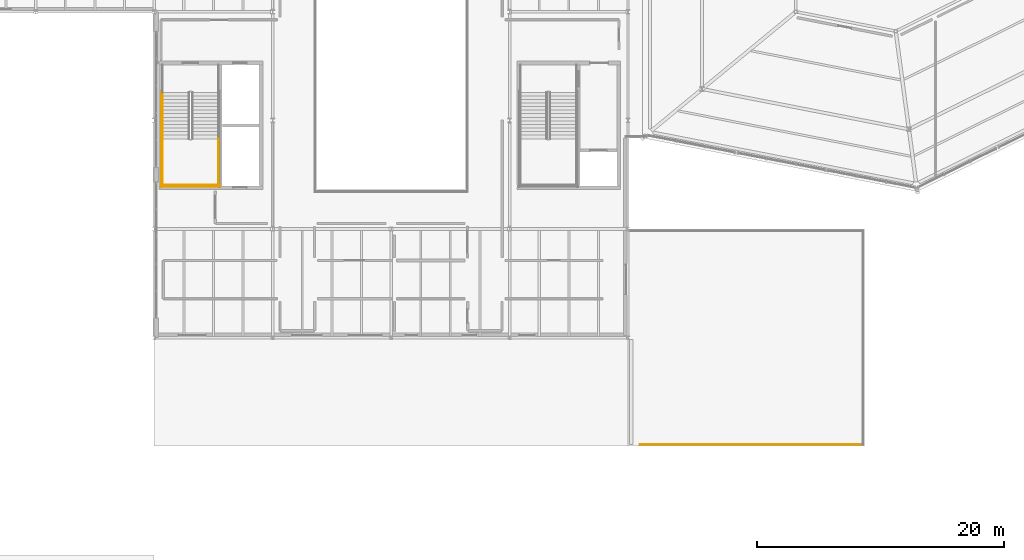
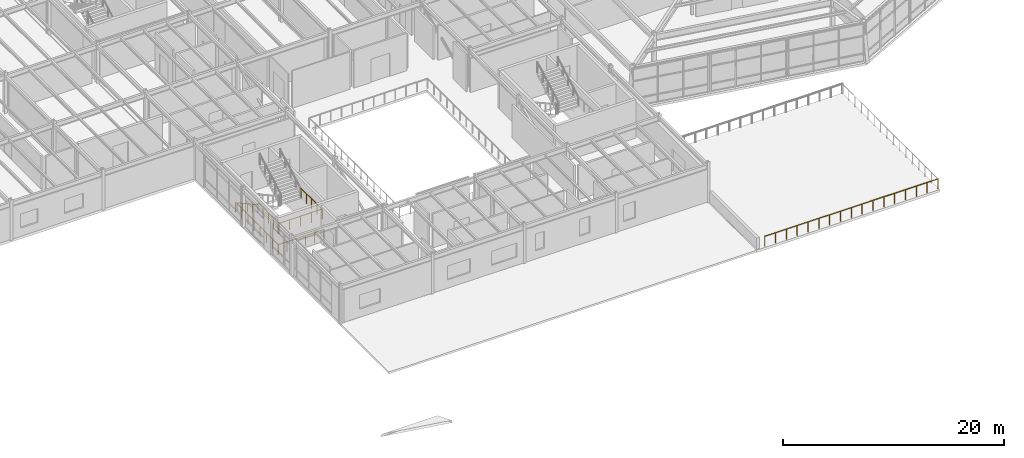
# One storey, part 60 of 69: 7 railings.
"""IFC4 building model written with IfcOpenShell, lengths in metres."""

from ifc_helpers import new_model, si_unit, direction, frame, origin, origin_2d, place, context, subcontext, project, spatial, circle, extrude, material, layer, layer_set, type_object, element, save


model = new_model("IFC4")

# Units and contexts
model_context = context("Model", 3, precision=1e-05, world=origin(), true_north=direction((0.0, 1.0)))
body_context = subcontext(model_context, "Body", "Model", "MODEL_VIEW")
ifc_project = project(units=[si_unit("LENGTHUNIT", "METRE"), si_unit("AREAUNIT", "SQUARE_METRE"), si_unit("VOLUMEUNIT", "CUBIC_METRE"), si_unit("PLANEANGLEUNIT", "RADIAN"), si_unit("MASSUNIT", "GRAM", prefix="KILO")], contexts=[model_context])

# Site, building, storey
site_placement = place(None, origin())
site = spatial("IfcSite", under=ifc_project, at=site_placement, CompositionType="ELEMENT")
building_placement = place(site_placement, origin())
building = spatial("IfcBuilding", under=site, at=building_placement, Name="Sarnbrook Museum", CompositionType="ELEMENT")
storey_placement = place(building_placement, frame((0.0, 0.0, 14.60009765625)))
storey = spatial("IfcBuildingStorey", under=building, at=storey_placement, Name="L03", CompositionType="ELEMENT", Elevation=14.60009765625)

# Railings
ifc_material_1 = material(Name="Brushed Stainless Steel Grade 316", Category="steel")
ifc_layer_1 = layer(ifc_material_1, 0.050048828125)
ifc_layer_set_1 = layer_set([ifc_layer_1], Name="Brushed Stainless Steel Grade 316")
railing_type_1 = type_object("IfcRailingType", Name="Guard_Int1120", PredefinedType="BALUSTRADE", material=ifc_layer_set_1)
for number, where, name in (
    (1, (81.489990234375, 64.110107421875, 2.25), "L03 ST3 stair guard 3"),
    (2, (86.010009765625, 64.110107421875, 2.25), "L03 ST3 stair guard 4"),
):
    element("IfcRailing", number, at=place(storey_placement, frame(where)), inside=storey, type_object=railing_type_1, Name=name, PredefinedType="BALUSTRADE", context=body_context, shape_type="SweptSolid", body=[
        extrude(circle(Radius=0.02392578125, at=origin_2d()), frame((0.0, 0.0, 1.09619140625), z_axis=(0.0, -1.0, 0.0), x_axis=(1.0, 0.0, 0.0)), (0.0, 0.0, 1.0), 3.81005859375),
        extrude(circle(Radius=0.02099609375, at=origin_2d()), origin(), (0.0, 0.0, 1.0), 1.072021484375),
        extrude(circle(Radius=0.02099609375, at=origin_2d()), frame((0.0, -0.95263671875, 0.0)), (0.0, 0.0, 1.0), 1.072021484375),
        extrude(circle(Radius=0.02099609375, at=origin_2d()), frame((0.0, -1.905029296875, 0.0)), (0.0, 0.0, 1.0), 1.072021484375),
        extrude(circle(Radius=0.02099609375, at=origin_2d()), frame((0.0, -2.857421875, 0.0)), (0.0, 0.0, 1.0), 1.072021484375),
        extrude(circle(Radius=0.02099609375, at=origin_2d()), frame((0.0, -3.81005859375, 0.0)), (0.0, 0.0, 1.0), 1.072021484375),
    ])
railing_1_placement = place(storey_placement, frame((81.43994140625, 60.35009765625, 2.25)))
element("IfcRailing", 3, at=railing_1_placement, inside=storey, type_object=railing_type_1, Name="L03 ST3 stair guard 5", PredefinedType="BALUSTRADE", context=body_context, shape_type="SweptSolid", body=[
    extrude(circle(Radius=0.02392578125, at=origin_2d()), frame((0.0, 0.0, 1.09619140625), z_axis=(1.0, 0.0, 0.0), x_axis=(0.0, 1.0, 0.0)), (0.0, 0.0, 1.0), 4.6201171875),
    extrude(circle(Radius=0.02099609375, at=origin_2d()), origin(), (0.0, 0.0, 1.0), 1.072021484375),
    extrude(circle(Radius=0.02099609375, at=origin_2d()), frame((1.155029296875, 0.0, 0.0)), (0.0, 0.0, 1.0), 1.072021484375),
    extrude(circle(Radius=0.02099609375, at=origin_2d()), frame((2.31005859375, 0.0, 0.0)), (0.0, 0.0, 1.0), 1.072021484375),
    extrude(circle(Radius=0.02099609375, at=origin_2d()), frame((3.465087890625, 0.0, 0.0)), (0.0, 0.0, 1.0), 1.072021484375),
    extrude(circle(Radius=0.02099609375, at=origin_2d()), frame((4.6201171875, 0.0, 0.0)), (0.0, 0.0, 1.0), 1.072021484375),
])
railing_2_placement = place(storey_placement, frame((81.389892578125, 67.97998046875, 0.0)))
element("IfcRailing", 4, at=railing_2_placement, inside=storey, type_object=railing_type_1, Name="L03 ST3 stair guard 10", PredefinedType="BALUSTRADE", context=body_context, shape_type="SweptSolid", body=[
    extrude(circle(Radius=0.02392578125, at=origin_2d()), frame((0.0, 0.0, 1.09619140625), z_axis=(0.0, -1.0, 0.0), x_axis=(1.0, 0.0, 0.0)), (0.0, 0.0, 1.0), 7.780029296875),
    extrude(circle(Radius=0.02099609375, at=origin_2d()), origin(), (0.0, 0.0, 1.0), 1.072021484375),
    extrude(circle(Radius=0.02099609375, at=origin_2d()), frame((0.0, -1.111328125, 0.0)), (0.0, 0.0, 1.0), 1.072021484375),
    extrude(circle(Radius=0.02099609375, at=origin_2d()), frame((0.0, -2.222900390625, 0.0)), (0.0, 0.0, 1.0), 1.072021484375),
    extrude(circle(Radius=0.02099609375, at=origin_2d()), frame((0.0, -3.334228515625, 0.0)), (0.0, 0.0, 1.0), 1.072021484375),
    extrude(circle(Radius=0.02099609375, at=origin_2d()), frame((0.0, -4.44580078125, 0.0)), (0.0, 0.0, 1.0), 1.072021484375),
    extrude(circle(Radius=0.02099609375, at=origin_2d()), frame((0.0, -5.55712890625, 0.0)), (0.0, 0.0, 1.0), 1.072021484375),
    extrude(circle(Radius=0.02099609375, at=origin_2d()), frame((0.0, -6.668701171875, 0.0)), (0.0, 0.0, 1.0), 1.072021484375),
    extrude(circle(Radius=0.02099609375, at=origin_2d()), frame((0.0, -7.780029296875, 0.0)), (0.0, 0.0, 1.0), 1.072021484375),
])
railing_3_placement = place(storey_placement, frame((81.340087890625, 60.25, 0.0)))
element("IfcRailing", 5, at=railing_3_placement, inside=storey, type_object=railing_type_1, Name="L03 ST3 stair guard 12", PredefinedType="BALUSTRADE", context=body_context, shape_type="SweptSolid", body=[
    extrude(circle(Radius=0.02392578125, at=origin_2d()), frame((0.0, 0.0, 1.09619140625), z_axis=(1.0, 0.0, 0.0), x_axis=(0.0, 1.0, 0.0)), (0.0, 0.0, 1.0), 4.81982421875),
    extrude(circle(Radius=0.02099609375, at=origin_2d()), origin(), (0.0, 0.0, 1.0), 1.072021484375),
    extrude(circle(Radius=0.02099609375, at=origin_2d()), frame((0.9638671875, 0.0, 0.0)), (0.0, 0.0, 1.0), 1.072021484375),
    extrude(circle(Radius=0.02099609375, at=origin_2d()), frame((1.927978515625, 0.0, 0.0)), (0.0, 0.0, 1.0), 1.072021484375),
    extrude(circle(Radius=0.02099609375, at=origin_2d()), frame((2.891845703125, 0.0, 0.0)), (0.0, 0.0, 1.0), 1.072021484375),
    extrude(circle(Radius=0.02099609375, at=origin_2d()), frame((3.85595703125, 0.0, 0.0)), (0.0, 0.0, 1.0), 1.072021484375),
    extrude(circle(Radius=0.02099609375, at=origin_2d()), frame((4.81982421875, 0.0, 0.0)), (0.0, 0.0, 1.0), 1.072021484375),
])
ifc_material_2 = material(Name="Patinated Architectural Bronze")
railing_type_2 = type_object("IfcRailingType", Name="Guardrail_Terrace1150", PredefinedType="GUARDRAIL", material=ifc_material_2)
railing_4_placement = place(storey_placement, frame((120.14990234375, 39.35009765625, 0.0)))
element("IfcRailing", 6, at=railing_4_placement, inside=storey, type_object=railing_type_2, Name="East Roof Garden Terrace Guardrail L03-1", PredefinedType="GUARDRAIL", context=body_context, shape_type="SweptSolid", body=[
    extrude(circle(Radius=0.02392578125, at=origin_2d()), frame((0.0, 0.0, 1.1259765625), z_axis=(1.0, 0.0, 0.0), x_axis=(0.0, 1.0, 0.0)), (0.0, 0.0, 1.0), 18.10009765625),
    extrude(circle(Radius=0.02099609375, at=origin_2d()), origin(), (0.0, 0.0, 1.0), 1.101806640625),
    extrude(circle(Radius=0.02099609375, at=origin_2d()), frame((1.13134765625, 0.0, 0.0)), (0.0, 0.0, 1.0), 1.101806640625),
    extrude(circle(Radius=0.02099609375, at=origin_2d()), frame((2.262451171875, 0.0, 0.0)), (0.0, 0.0, 1.0), 1.101806640625),
    extrude(circle(Radius=0.02099609375, at=origin_2d()), frame((3.393798828125, 0.0, 0.0)), (0.0, 0.0, 1.0), 1.101806640625),
    extrude(circle(Radius=0.02099609375, at=origin_2d()), frame((4.52490234375, 0.0, 0.0)), (0.0, 0.0, 1.0), 1.101806640625),
    extrude(circle(Radius=0.02099609375, at=origin_2d()), frame((5.65625, 0.0, 0.0)), (0.0, 0.0, 1.0), 1.101806640625),
    extrude(circle(Radius=0.02099609375, at=origin_2d()), frame((6.78759765625, 0.0, 0.0)), (0.0, 0.0, 1.0), 1.101806640625),
    extrude(circle(Radius=0.02099609375, at=origin_2d()), frame((7.918701171875, 0.0, 0.0)), (0.0, 0.0, 1.0), 1.101806640625),
    extrude(circle(Radius=0.02099609375, at=origin_2d()), frame((9.050048828125, 0.0, 0.0)), (0.0, 0.0, 1.0), 1.101806640625),
    extrude(circle(Radius=0.02099609375, at=origin_2d()), frame((10.181396484375, 0.0, 0.0)), (0.0, 0.0, 1.0), 1.101806640625),
    extrude(circle(Radius=0.02099609375, at=origin_2d()), frame((11.3125, 0.0, 0.0)), (0.0, 0.0, 1.0), 1.101806640625),
    extrude(circle(Radius=0.02099609375, at=origin_2d()), frame((12.44384765625, 0.0, 0.0)), (0.0, 0.0, 1.0), 1.101806640625),
    extrude(circle(Radius=0.02099609375, at=origin_2d()), frame((13.5751953125, 0.0, 0.0)), (0.0, 0.0, 1.0), 1.101806640625),
    extrude(circle(Radius=0.02099609375, at=origin_2d()), frame((14.706298828125, 0.0, 0.0)), (0.0, 0.0, 1.0), 1.101806640625),
    extrude(circle(Radius=0.02099609375, at=origin_2d()), frame((15.837646484375, 0.0, 0.0)), (0.0, 0.0, 1.0), 1.101806640625),
    extrude(circle(Radius=0.02099609375, at=origin_2d()), frame((16.96875, 0.0, 0.0)), (0.0, 0.0, 1.0), 1.101806640625),
    extrude(circle(Radius=0.02099609375, at=origin_2d()), frame((18.10009765625, 0.0, 0.0)), (0.0, 0.0, 1.0), 1.101806640625),
])
ifc_layer_2 = layer(ifc_material_1, 0.048095703125)
ifc_layer_set_2 = layer_set([ifc_layer_2], Name="Brushed Stainless Steel Grade 316")
railing_type_3 = type_object("IfcRailingType", Name="Handrail_920", PredefinedType="HANDRAIL", material=ifc_layer_set_2)
railing_5_placement = place(storey_placement, frame((81.489990234375, 67.8798828125, 0.16064453125)))
element("IfcRailing", 7, at=railing_5_placement, inside=storey, type_object=railing_type_3, Name="L03 ST3 stair handrail 1", PredefinedType="HANDRAIL", context=body_context, shape_type="SweptSolid", body=[
    extrude(circle(Radius=0.02392578125, at=origin_2d()), frame((0.0, 0.0, 0.8857421875), z_axis=(0.0, -0.874645791573, 0.484762559697), x_axis=(1.0, 0.0, 0.0)), (0.0, 0.0, 1.0), 4.31005859375),
    extrude(circle(Radius=0.02099609375, at=origin_2d()), origin(), (0.0, 0.0, 1.0), 0.86181640625),
    extrude(circle(Radius=0.02099609375, at=origin_2d()), frame((0.0, -0.9423828125, 0.5224609375)), (0.0, 0.0, 1.0), 0.86181640625),
    extrude(circle(Radius=0.02099609375, at=origin_2d()), frame((0.0, -1.884765625, 1.044677734375)), (0.0, 0.0, 1.0), 0.86181640625),
    extrude(circle(Radius=0.02099609375, at=origin_2d()), frame((0.0, -2.827392578125, 1.56689453125)), (0.0, 0.0, 1.0), 0.86181640625),
    extrude(circle(Radius=0.02099609375, at=origin_2d()), frame((0.0, -3.769775390625, 2.08935546875)), (0.0, 0.0, 1.0), 0.86181640625),
])

save(model, "model.ifc")
